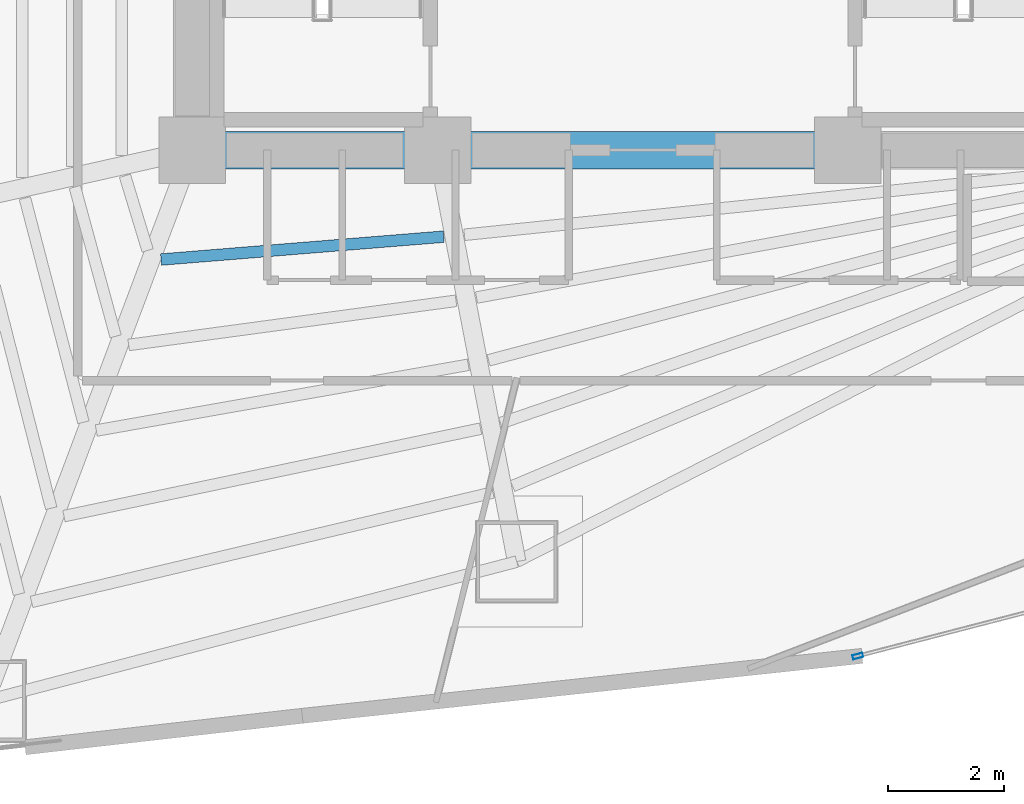
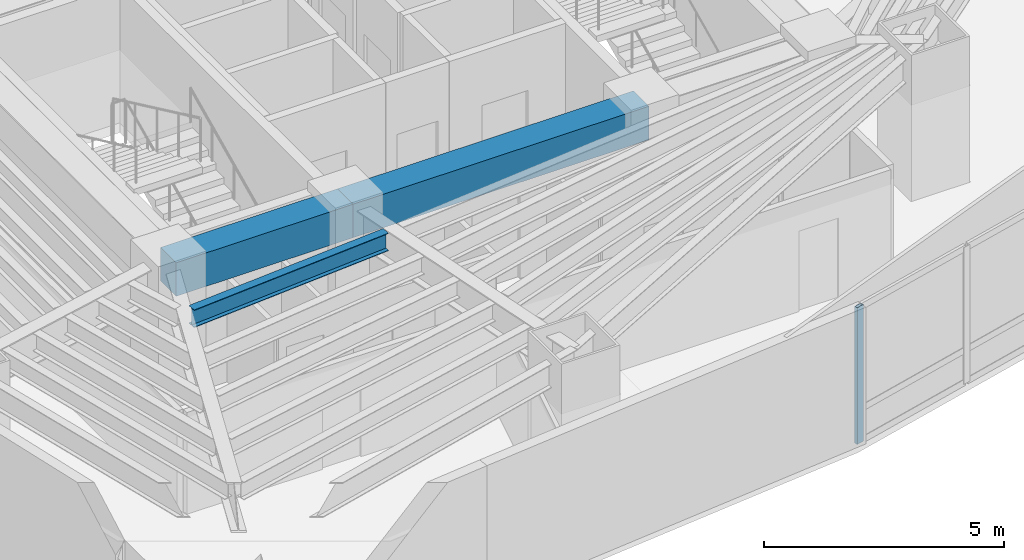
# One storey, part 4 of 20: 3 beams, 1 member, 1 element without a shape of its own.
"""IFC4 building model written with IfcOpenShell, lengths in metres."""

from ifc_helpers import new_model, si_unit, direction, frame, origin, origin_2d, place, context, subcontext, project, spatial, rectangle, hollow_rectangle, i_section, extrude, material, layer, layer_set, material_profile, profile_set, type_object, element, aggregate, save


model = new_model("IFC4")

# Units and contexts
model_context = context("Model", 3, precision=1e-05, world=origin(), true_north=direction((0.0, 1.0)))
body_context = subcontext(model_context, "Body", "Model", "MODEL_VIEW")
ifc_project = project(units=[si_unit("LENGTHUNIT", "METRE"), si_unit("AREAUNIT", "SQUARE_METRE"), si_unit("VOLUMEUNIT", "CUBIC_METRE"), si_unit("PLANEANGLEUNIT", "RADIAN"), si_unit("MASSUNIT", "GRAM", prefix="KILO")], contexts=[model_context])

# Site, building, storey
site_placement = place(None, origin())
site = spatial("IfcSite", under=ifc_project, at=site_placement, CompositionType="ELEMENT")
building_placement = place(site_placement, origin())
building = spatial("IfcBuilding", under=site, at=building_placement, Name="Menara Vayukalpa", CompositionType="ELEMENT")
storey_placement = place(building_placement, frame((0.0, 0.0, 61.080078125)))
storey = spatial("IfcBuildingStorey", under=building, at=storey_placement, Name="L14", CompositionType="ELEMENT", Elevation=61.080078125)

# Beams
ifc_material_1 = material(Name="Concrete C60/75", Category="concrete")
ifc_material_profile_1 = material_profile(ifc_material_1, rectangle(XDim=0.64990234375, YDim=0.85009765625, at=origin_2d()), Name="RC 650x850")
ifc_profile_set_1 = profile_set([ifc_material_profile_1], Name="Concrete C60/75")
beam_type_1 = type_object("IfcBeamType", Name="BM-CB1", PredefinedType="BEAM", material=ifc_profile_set_1)
beam_1_placement = place(storey_placement, frame((17.800048828125, 17.199951171875, 3.044921875), z_axis=(1.0, 0.0, 0.0), x_axis=(0.0, 1.0, 0.0)))
element("IfcBeam", 1, at=beam_1_placement, inside=storey, type_object=beam_type_1, Name="L14 Core Tie Beam CBR1", PredefinedType="BEAM", context=body_context, shape_type="SweptSolid", body=[
    extrude(rectangle(XDim=0.64990234375, YDim=0.85009765625, at=origin_2d()), origin(), (0.0, 0.0, 1.0), 4.25),
])
beam_2_placement = place(storey_placement, frame((22.050048828125, 17.199951171875, 3.044921875), z_axis=(1.0, 0.0, 0.0), x_axis=(0.0, 1.0, 0.0)))
element("IfcBeam", 2, at=beam_2_placement, inside=storey, type_object=beam_type_1, Name="L14 Core Tie Beam CBR2", PredefinedType="BEAM", context=body_context, shape_type="SweptSolid", body=[
    extrude(rectangle(XDim=0.64990234375, YDim=0.85009765625, at=origin_2d()), origin(), (0.0, 0.0, 1.0), 7.099853515625),
])
ifc_material_2 = material(Name="Steel S355", Category="steel")
ifc_material_profile_2 = material_profile(ifc_material_2, i_section(OverallWidth=0.199951171875, OverallDepth=0.449951171875, WebThickness=0.009033203125, FlangeThickness=0.013916015625, at=origin_2d()), Name="WF 450x200x9x14")
ifc_profile_set_2 = profile_set([ifc_material_profile_2], Name="Steel S355")
beam_type_2 = type_object("IfcBeamType", Name="BM-SJ1", PredefinedType="JOIST", material=ifc_profile_set_2)
beam_3_placement = place(storey_placement, frame((17.262451171875, 15.306396484375, 3.244873046875), z_axis=(0.996745483939, 0.08061290373, 0.0), x_axis=(-0.08061290373, 0.996745483939, 0.0)))
element("IfcBeam", 3, at=beam_3_placement, inside=storey, type_object=beam_type_2, Name="L14 Secondary Floor Joist SJ07-1", PredefinedType="JOIST", context=body_context, shape_type="SweptSolid", body=[
    extrude(i_section(OverallWidth=0.199951171875, OverallDepth=0.449951171875, WebThickness=0.009033203125, FlangeThickness=0.013916015625, at=origin_2d()), origin(), (0.0, 0.0, 1.0), 4.9091796875),
])

# Curtain wall, member
ifc_material_3 = material(Name="Anodised Terracotta Aluminium Alloy 6063-T6", Category="masonry")
ifc_layer = layer(ifc_material_3, 0.179931640625)
ifc_layer_set = layer_set([ifc_layer], Name="Anodised Terracotta Aluminium Alloy 6063-T6")
curtain_wall_type = type_object("IfcCurtainWallType", Name="CW-CW4", PredefinedType="USERDEFINED", material=ifc_layer_set)
curtain_wall_placement = place(storey_placement, origin())
curtain_wall = element("IfcCurtainWall", 4, at=curtain_wall_placement, inside=storey, type_object=curtain_wall_type, Name="L14 Sky Bar Cantilever Glazed Curtain Wall CW4 16", ObjectType="UNITISED", PredefinedType="USERDEFINED")
ifc_material_4 = material(Name="Anodised Terracotta Aluminium Alloy 6063-T6", Category="masonry")
ifc_material_profile_3 = material_profile(ifc_material_4, hollow_rectangle(XDim=0.074951171875, YDim=0.179931640625, WallThickness=0.00390625, at=origin_2d()), Name="ALU 75x180x4")
ifc_profile_set_3 = profile_set([ifc_material_profile_3], Name="Anodised Terracotta Aluminium Alloy 6063-T6")
member_type = type_object("IfcMemberType", Name="CWM-CW4", PredefinedType="MULLION", material=ifc_profile_set_3)
member_placement = place(storey_placement, frame((29.324462890625, 8.44140625, 0.0), z_axis=(0.0, 0.0, 1.0), x_axis=(-0.25040286747, 0.968141727209, 0.0)))
member = element("IfcMember", 5, at=member_placement, type_object=member_type, Name="CW4 mullion 1", PredefinedType="MULLION", context=body_context, shape_type="SweptSolid", body=[
    extrude(hollow_rectangle(XDim=0.074951171875, YDim=0.179931640625, WallThickness=0.00390625, at=origin_2d()), origin(), (0.0, 0.0, 1.0), 3.469970703125),
])
aggregate(curtain_wall, [member])

save(model, "model.ifc")
